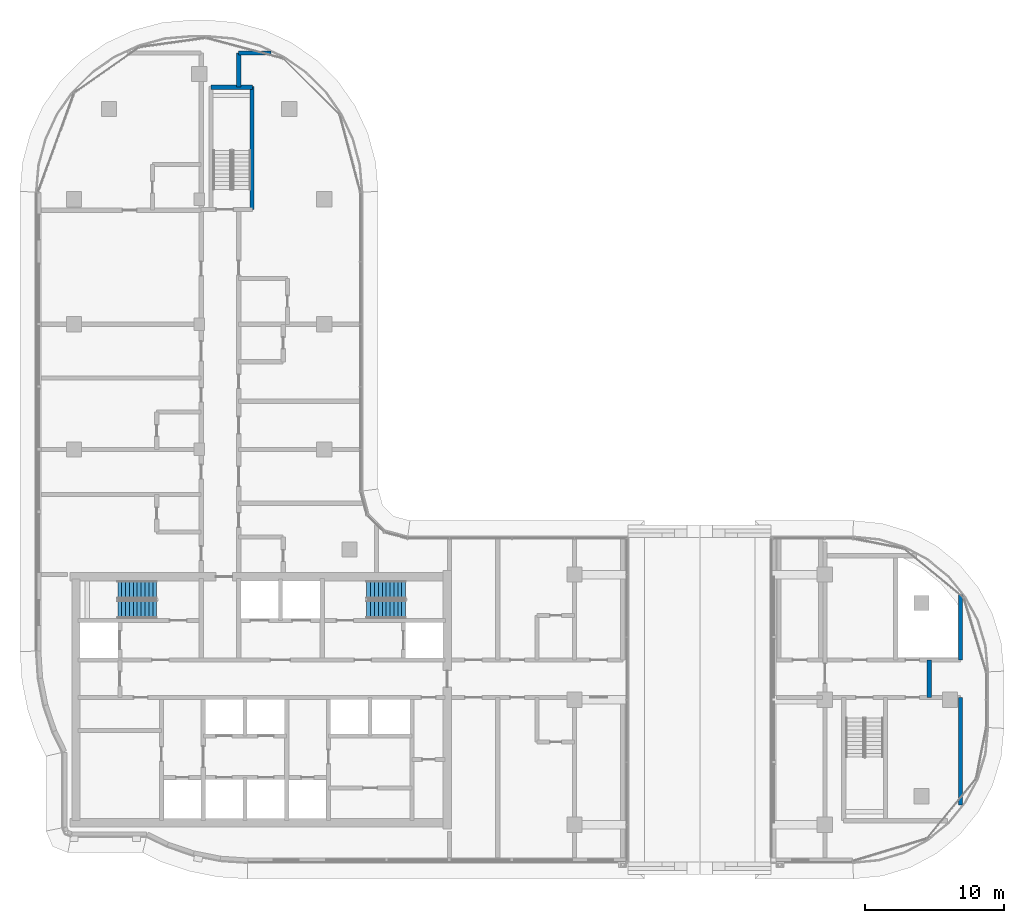
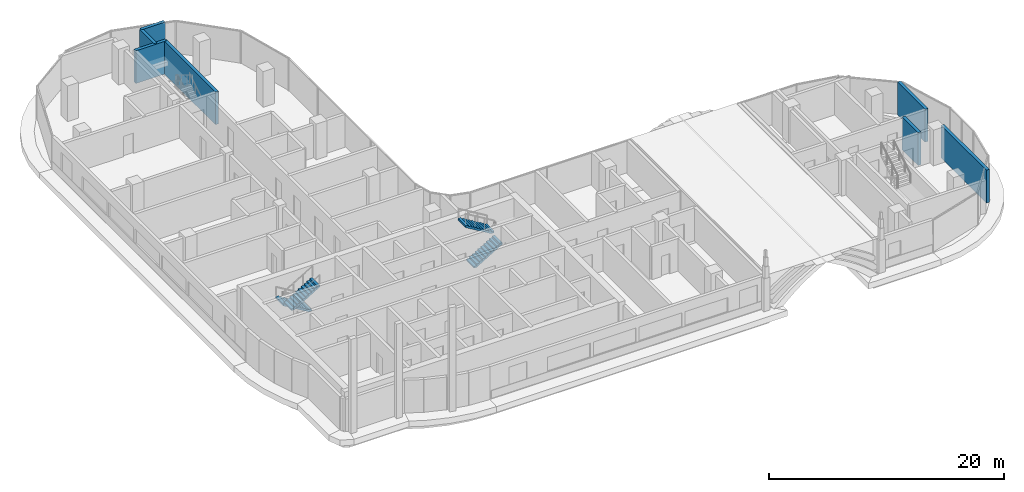
# One storey, part 14 of 23: 7 walls, 4 stair flights, 2 elements without a shape of their own.
"""IFC4 building model written with IfcOpenShell, lengths in metres."""

from ifc_helpers import new_model, si_unit, direction, frame, frame_2d, origin, place, context, subcontext, project, spatial, rectangle, extrude, triangles, source, transform, mapped, material, layer, layer_set, type_object, element, aggregate, save


model = new_model("IFC4")

# Units and contexts
model_context = context("Model", 3, precision=1e-05, world=origin(), true_north=direction((0.0, 1.0)))
body_context = subcontext(model_context, "Body", "Model", "MODEL_VIEW")
ifc_project = project(units=[si_unit("LENGTHUNIT", "METRE"), si_unit("AREAUNIT", "SQUARE_METRE"), si_unit("VOLUMEUNIT", "CUBIC_METRE"), si_unit("PLANEANGLEUNIT", "RADIAN"), si_unit("MASSUNIT", "GRAM", prefix="KILO")], contexts=[model_context])

# Site, building, storey
site_placement = place(None, origin())
site = spatial("IfcSite", under=ifc_project, at=site_placement, CompositionType="ELEMENT")
building_placement = place(site_placement, origin())
building = spatial("IfcBuilding", under=site, at=building_placement, Name="Ogive Portal Towers", CompositionType="ELEMENT")
storey_placement = place(building_placement, frame((0.0, 0.0, 179.199951171875)))
storey = spatial("IfcBuildingStorey", under=building, at=storey_placement, Name="L44", CompositionType="ELEMENT", Elevation=179.199951171875)

# Walls
ifc_material_1 = material(Name="Concrete C50/60", Category="concrete")
ifc_layer_1 = layer(ifc_material_1, 0.300048828125)
ifc_layer_set_1 = layer_set([ifc_layer_1], Name="STAIR WALL 300 C50")
wall_type_1 = type_object("IfcWallType", Name="STAIR WALL 300 C50", PredefinedType="SHEAR", material=ifc_layer_set_1)
wall_1_placement = place(storey_placement, frame((41.35009765625, 74.550048828125, 0.0), z_axis=(0.0, 0.0, 1.0), x_axis=(1.0, 0.0, 0.0)))
element("IfcWall", 1, at=wall_1_placement, inside=storey, type_object=wall_type_1, Name="Stair wall ST-A3 L44", PredefinedType="SHEAR", context=body_context, shape_type="SweptSolid", body=[
    extrude(rectangle(XDim=3.0, YDim=0.300048828125, at=frame_2d((1.5, 0.0))), origin(), (0.0, 0.0, 1.0), 3.400146484375),
])
wall_2_placement = place(storey_placement, frame((44.300048828125, 65.75, 0.0), z_axis=(0.0, 0.0, 1.0), x_axis=(0.0, 1.0, 0.0)))
element("IfcWall", 2, at=wall_2_placement, inside=storey, type_object=wall_type_1, Name="Stair wall ST-A3 L44", PredefinedType="SHEAR", context=body_context, shape_type="SweptSolid", body=[
    extrude(rectangle(XDim=8.85009765625, YDim=0.300048828125, at=frame_2d((4.425048828125, 0.0))), origin(), (0.0, 0.0, 1.0), 3.400146484375),
])
ifc_material_2 = material(Name="Gypsum board partition on steel studs", Category="steel")
ifc_layer_2 = layer(ifc_material_2, 0.300048828125)
ifc_layer_set_2 = layer_set([ifc_layer_2], Name="WT-PART-300-EI 120")
wall_type_2 = type_object("IfcWallType", Name="WT-PART-300-EI 120", PredefinedType="PARTITIONING", material=ifc_layer_set_2)
wall_3_placement = place(storey_placement, frame((93.0, 30.64990234375, 0.0), z_axis=(0.0, 0.0, 1.0), x_axis=(0.0, 1.0, 0.0)))
element("IfcWall", 3, at=wall_3_placement, inside=storey, type_object=wall_type_2, Name="Wall L44:w058", PredefinedType="PARTITIONING", context=body_context, shape_type="SweptSolid", body=[
    extrude(rectangle(XDim=2.7001953125, YDim=0.300048828125, at=frame_2d((1.35009765625, 0.0))), origin(), (0.0, 0.0, 1.0), 3.400146484375),
])
ifc_layer_3 = layer(ifc_material_2, 0.300048828125)
ifc_layer_set_3 = layer_set([ifc_layer_3], Name="WT-PART-300-EI 60")
wall_type_3 = type_object("IfcWallType", Name="WT-PART-300-EI 60", PredefinedType="PARTITIONING", material=ifc_layer_set_3)
wall_4_placement = place(storey_placement, frame((43.35009765625, 77.0, 0.0), z_axis=(0.0, 0.0, 1.0), x_axis=(1.0, 0.0, 0.0)))
element("IfcWall", 4, at=wall_4_placement, inside=storey, type_object=wall_type_3, Name="Wall L44:w030", PredefinedType="PARTITIONING", context=body_context, shape_type="SweptSolid", body=[
    extrude(rectangle(XDim=2.31201171875, YDim=0.300048828125, at=frame_2d((1.156005859375, 0.0))), origin(), (0.0, 0.0, 1.0), 3.400146484375),
])
wall_5_placement = place(storey_placement, frame((95.25, 22.926025390625, 0.0), z_axis=(0.0, 0.0, 1.0), x_axis=(0.0, 1.0, 0.0)))
element("IfcWall", 5, at=wall_5_placement, inside=storey, type_object=wall_type_3, Name="Wall L44:w059", PredefinedType="PARTITIONING", context=body_context, shape_type="SweptSolid", body=[
    extrude(rectangle(XDim=7.723876953125, YDim=0.300048828125, at=frame_2d((3.86181640625, 0.0))), origin(), (0.0, 0.0, 1.0), 3.400146484375),
])
wall_6_placement = place(storey_placement, frame((95.25, 33.35009765625, 0.0), z_axis=(0.0, 0.0, 1.0), x_axis=(0.0, 1.0, 0.0)))
element("IfcWall", 6, at=wall_6_placement, inside=storey, type_object=wall_type_3, Name="Wall L44:w060", PredefinedType="PARTITIONING", context=body_context, shape_type="SweptSolid", body=[
    extrude(rectangle(XDim=4.723876953125, YDim=0.300048828125, at=frame_2d((2.36181640625, 0.0))), origin(), (0.0, 0.0, 1.0), 3.400146484375),
])
ifc_material_3 = material(Name="Concrete C40/50", Category="concrete")
ifc_layer_4 = layer(ifc_material_3, 0.300048828125)
ifc_layer_set_4 = layer_set([ifc_layer_4], Name="WT-SHAFT-300")
wall_type_4 = type_object("IfcWallType", Name="WT-SHAFT-300", PredefinedType="SOLIDWALL", material=ifc_layer_set_4)
wall_7_placement = place(storey_placement, frame((43.35009765625, 74.550048828125, 0.0), z_axis=(0.0, 0.0, 1.0), x_axis=(0.0, 1.0, 0.0)))
element("IfcWall", 7, at=wall_7_placement, inside=storey, type_object=wall_type_4, Name="Wall L44:w037", PredefinedType="SOLIDWALL", context=body_context, shape_type="SweptSolid", body=[
    extrude(rectangle(XDim=2.449951171875, YDim=0.300048828125, at=frame_2d((1.22509765625, 0.0))), origin(), (0.0, 0.0, 1.0), 3.400146484375),
])

# Stair, stair flights
stair_type = type_object("IfcStairType", Name="INT-STAIR", PredefinedType="HALF_TURN_STAIR", material=ifc_material_3)
stair_1_placement = place(storey_placement, origin())
stair_1 = element("IfcStair", 8, at=stair_1_placement, inside=storey, type_object=stair_type, Name="L44 Exit Stair ST-A1", PredefinedType="HALF_TURN_STAIR")
stair_flight_type = type_object("IfcStairFlightType", Name="INT-FLIGHT", PredefinedType="STRAIGHT", material=ifc_material_3)
shared_shape = source(origin(), body_context, "Body", "Tessellation", [
    triangles([(0.0, -0.650146484375, 0.0), (0.0, -0.376220703125, 0.0), (0.0, -0.192626953125, 0.0), (0.0, -0.081298828125, 0.0), (0.0, -0.024169921875, 0.0), (0.0, -0.003173828125, 0.0), (0.0, 0.0, 0.0), (0.0, 0.0029296875, 0.0), (0.0, 0.02392578125, 0.0), (0.0, 0.0810546875, 0.0), (0.0, 0.1923828125, 0.0), (0.0, 0.3759765625, 0.0), (0.0, 0.64990234375, 0.0), (0.0, -0.650146484375, 0.168212890625), (0.0, -0.376220703125, 0.168212890625), (0.0, -0.192626953125, 0.168212890625), (0.0, -0.081298828125, 0.168212890625), (0.0, -0.024169921875, 0.168212890625), (0.0, -0.003173828125, 0.168212890625), (0.0, 0.0, 0.168212890625), (0.0, 0.0029296875, 0.168212890625), (0.0, 0.02392578125, 0.168212890625), (0.0, 0.0810546875, 0.168212890625), (0.0, 0.1923828125, 0.168212890625), (0.0, 0.3759765625, 0.168212890625), (0.0, 0.64990234375, 0.168212890625), (0.280029296875, -0.650146484375, 0.168212890625), (0.280029296875, -0.376220703125, 0.168212890625), (0.280029296875, -0.192626953125, 0.168212890625), (0.280029296875, -0.081298828125, 0.168212890625), (0.280029296875, -0.024169921875, 0.168212890625), (0.280029296875, -0.003173828125, 0.168212890625), (0.280029296875, 0.0, 0.168212890625), (0.280029296875, 0.0029296875, 0.168212890625), (0.280029296875, 0.02392578125, 0.168212890625), (0.280029296875, 0.0810546875, 0.168212890625), (0.280029296875, 0.1923828125, 0.168212890625), (0.280029296875, 0.3759765625, 0.168212890625), (0.280029296875, 0.64990234375, 0.168212890625), (0.280029296875, -0.650146484375, 0.33642578125), (0.280029296875, -0.376220703125, 0.33642578125), (0.280029296875, -0.192626953125, 0.33642578125), (0.280029296875, -0.081298828125, 0.33642578125), (0.280029296875, -0.024169921875, 0.33642578125), (0.280029296875, -0.003173828125, 0.33642578125), (0.280029296875, 0.0, 0.33642578125), (0.280029296875, 0.0029296875, 0.33642578125), (0.280029296875, 0.02392578125, 0.33642578125), (0.280029296875, 0.0810546875, 0.33642578125), (0.280029296875, 0.1923828125, 0.33642578125), (0.280029296875, 0.3759765625, 0.33642578125), (0.280029296875, 0.64990234375, 0.33642578125), (0.56005859375, -0.650146484375, 0.33642578125), (0.56005859375, -0.376220703125, 0.33642578125), (0.56005859375, -0.192626953125, 0.33642578125), (0.56005859375, -0.081298828125, 0.33642578125), (0.56005859375, -0.024169921875, 0.33642578125), (0.56005859375, -0.003173828125, 0.33642578125), (0.56005859375, 0.0, 0.33642578125), (0.56005859375, 0.0029296875, 0.33642578125), (0.56005859375, 0.02392578125, 0.33642578125), (0.56005859375, 0.0810546875, 0.33642578125), (0.56005859375, 0.1923828125, 0.33642578125), (0.56005859375, 0.3759765625, 0.33642578125), (0.56005859375, 0.64990234375, 0.33642578125), (0.56005859375, -0.650146484375, 0.504638671875), (0.56005859375, -0.376220703125, 0.504638671875), (0.56005859375, -0.192626953125, 0.504638671875), (0.56005859375, -0.081298828125, 0.504638671875), (0.56005859375, -0.024169921875, 0.504638671875), (0.56005859375, -0.003173828125, 0.504638671875), (0.56005859375, 0.0, 0.504638671875), (0.56005859375, 0.0029296875, 0.504638671875), (0.56005859375, 0.02392578125, 0.504638671875), (0.56005859375, 0.0810546875, 0.504638671875), (0.56005859375, 0.1923828125, 0.504638671875), (0.56005859375, 0.3759765625, 0.504638671875), (0.56005859375, 0.64990234375, 0.504638671875), (0.840087890625, -0.650146484375, 0.504638671875), (0.840087890625, -0.376220703125, 0.504638671875), (0.840087890625, -0.192626953125, 0.504638671875), (0.840087890625, -0.081298828125, 0.504638671875), (0.840087890625, -0.024169921875, 0.504638671875), (0.840087890625, -0.003173828125, 0.504638671875), (0.840087890625, 0.0, 0.504638671875), (0.840087890625, 0.0029296875, 0.504638671875), (0.840087890625, 0.02392578125, 0.504638671875), (0.840087890625, 0.0810546875, 0.504638671875), (0.840087890625, 0.1923828125, 0.504638671875), (0.840087890625, 0.3759765625, 0.504638671875), (0.840087890625, 0.64990234375, 0.504638671875), (0.840087890625, -0.650146484375, 0.672607421875), (0.840087890625, -0.376220703125, 0.672607421875), (0.840087890625, -0.192626953125, 0.672607421875), (0.840087890625, -0.081298828125, 0.672607421875), (0.840087890625, -0.024169921875, 0.672607421875), (0.840087890625, -0.003173828125, 0.672607421875), (0.840087890625, 0.0, 0.672607421875), (0.840087890625, 0.0029296875, 0.672607421875), (0.840087890625, 0.02392578125, 0.672607421875), (0.840087890625, 0.0810546875, 0.672607421875), (0.840087890625, 0.1923828125, 0.672607421875), (0.840087890625, 0.3759765625, 0.672607421875), (0.840087890625, 0.64990234375, 0.672607421875), (1.1201171875, -0.650146484375, 0.672607421875), (1.1201171875, -0.376220703125, 0.672607421875), (1.1201171875, -0.192626953125, 0.672607421875), (1.1201171875, -0.081298828125, 0.672607421875), (1.1201171875, -0.024169921875, 0.672607421875), (1.1201171875, -0.003173828125, 0.672607421875), (1.1201171875, 0.0, 0.672607421875), (1.1201171875, 0.0029296875, 0.672607421875), (1.1201171875, 0.02392578125, 0.672607421875), (1.1201171875, 0.0810546875, 0.672607421875), (1.1201171875, 0.1923828125, 0.672607421875), (1.1201171875, 0.3759765625, 0.672607421875), (1.1201171875, 0.64990234375, 0.672607421875), (1.1201171875, -0.650146484375, 0.8408203125), (1.1201171875, -0.376220703125, 0.8408203125), (1.1201171875, -0.192626953125, 0.8408203125), (1.1201171875, -0.081298828125, 0.8408203125), (1.1201171875, -0.024169921875, 0.8408203125), (1.1201171875, -0.003173828125, 0.8408203125), (1.1201171875, 0.0, 0.8408203125), (1.1201171875, 0.0029296875, 0.8408203125), (1.1201171875, 0.02392578125, 0.8408203125), (1.1201171875, 0.0810546875, 0.8408203125), (1.1201171875, 0.1923828125, 0.8408203125), (1.1201171875, 0.3759765625, 0.8408203125), (1.1201171875, 0.64990234375, 0.8408203125), (1.39990234375, -0.650146484375, 0.8408203125), (1.39990234375, -0.376220703125, 0.8408203125), (1.39990234375, -0.192626953125, 0.8408203125), (1.39990234375, -0.081298828125, 0.8408203125), (1.39990234375, -0.024169921875, 0.8408203125), (1.39990234375, -0.003173828125, 0.8408203125), (1.39990234375, 0.0, 0.8408203125), (1.39990234375, 0.0029296875, 0.8408203125), (1.39990234375, 0.02392578125, 0.8408203125), (1.39990234375, 0.0810546875, 0.8408203125), (1.39990234375, 0.1923828125, 0.8408203125), (1.39990234375, 0.3759765625, 0.8408203125), (1.39990234375, 0.64990234375, 0.8408203125), (1.39990234375, -0.650146484375, 1.009033203125), (1.39990234375, -0.376220703125, 1.009033203125), (1.39990234375, -0.192626953125, 1.009033203125), (1.39990234375, -0.081298828125, 1.009033203125), (1.39990234375, -0.024169921875, 1.009033203125), (1.39990234375, -0.003173828125, 1.009033203125), (1.39990234375, 0.0, 1.009033203125), (1.39990234375, 0.0029296875, 1.009033203125), (1.39990234375, 0.02392578125, 1.009033203125), (1.39990234375, 0.0810546875, 1.009033203125), (1.39990234375, 0.1923828125, 1.009033203125), (1.39990234375, 0.3759765625, 1.009033203125), (1.39990234375, 0.64990234375, 1.009033203125), (1.679931640625, -0.650146484375, 1.009033203125), (1.679931640625, -0.376220703125, 1.009033203125), (1.679931640625, -0.192626953125, 1.009033203125), (1.679931640625, -0.081298828125, 1.009033203125), (1.679931640625, -0.024169921875, 1.009033203125), (1.679931640625, -0.003173828125, 1.009033203125), (1.679931640625, 0.0, 1.009033203125), (1.679931640625, 0.0029296875, 1.009033203125), (1.679931640625, 0.02392578125, 1.009033203125), (1.679931640625, 0.0810546875, 1.009033203125), (1.679931640625, 0.1923828125, 1.009033203125), (1.679931640625, 0.3759765625, 1.009033203125), (1.679931640625, 0.64990234375, 1.009033203125), (1.679931640625, -0.650146484375, 1.17724609375), (1.679931640625, -0.376220703125, 1.17724609375), (1.679931640625, -0.192626953125, 1.17724609375), (1.679931640625, -0.081298828125, 1.17724609375), (1.679931640625, -0.024169921875, 1.17724609375), (1.679931640625, -0.003173828125, 1.17724609375), (1.679931640625, 0.0, 1.17724609375), (1.679931640625, 0.0029296875, 1.17724609375), (1.679931640625, 0.02392578125, 1.17724609375), (1.679931640625, 0.0810546875, 1.17724609375), (1.679931640625, 0.1923828125, 1.17724609375), (1.679931640625, 0.3759765625, 1.17724609375), (1.679931640625, 0.64990234375, 1.17724609375), (1.9599609375, -0.650146484375, 1.17724609375), (1.9599609375, -0.376220703125, 1.17724609375), (1.9599609375, -0.192626953125, 1.17724609375), (1.9599609375, -0.081298828125, 1.17724609375), (1.9599609375, -0.024169921875, 1.17724609375), (1.9599609375, -0.003173828125, 1.17724609375), (1.9599609375, 0.0, 1.17724609375), (1.9599609375, 0.0029296875, 1.17724609375), (1.9599609375, 0.02392578125, 1.17724609375), (1.9599609375, 0.0810546875, 1.17724609375), (1.9599609375, 0.1923828125, 1.17724609375), (1.9599609375, 0.3759765625, 1.17724609375), (1.9599609375, 0.64990234375, 1.17724609375), (1.9599609375, -0.650146484375, 1.345458984375), (1.9599609375, -0.376220703125, 1.345458984375), (1.9599609375, -0.192626953125, 1.345458984375), (1.9599609375, -0.081298828125, 1.345458984375), (1.9599609375, -0.024169921875, 1.345458984375), (1.9599609375, -0.003173828125, 1.345458984375), (1.9599609375, 0.0, 1.345458984375), (1.9599609375, 0.0029296875, 1.345458984375), (1.9599609375, 0.02392578125, 1.345458984375), (1.9599609375, 0.0810546875, 1.345458984375), (1.9599609375, 0.1923828125, 1.345458984375), (1.9599609375, 0.3759765625, 1.345458984375), (1.9599609375, 0.64990234375, 1.345458984375), (2.239990234375, -0.650146484375, 1.345458984375), (2.239990234375, -0.376220703125, 1.345458984375), (2.239990234375, -0.192626953125, 1.345458984375), (2.239990234375, -0.081298828125, 1.345458984375), (2.239990234375, -0.024169921875, 1.345458984375), (2.239990234375, -0.003173828125, 1.345458984375), (2.239990234375, 0.0, 1.345458984375), (2.239990234375, 0.0029296875, 1.345458984375), (2.239990234375, 0.02392578125, 1.345458984375), (2.239990234375, 0.0810546875, 1.345458984375), (2.239990234375, 0.1923828125, 1.345458984375), (2.239990234375, 0.3759765625, 1.345458984375), (2.239990234375, 0.64990234375, 1.345458984375), (2.239990234375, -0.650146484375, 1.513671875), (2.239990234375, -0.376220703125, 1.513671875), (2.239990234375, -0.192626953125, 1.513671875), (2.239990234375, -0.081298828125, 1.513671875), (2.239990234375, -0.024169921875, 1.513671875), (2.239990234375, -0.003173828125, 1.513671875), (2.239990234375, 0.0, 1.513671875), (2.239990234375, 0.0029296875, 1.513671875), (2.239990234375, 0.02392578125, 1.513671875), (2.239990234375, 0.0810546875, 1.513671875), (2.239990234375, 0.1923828125, 1.513671875), (2.239990234375, 0.3759765625, 1.513671875), (2.239990234375, 0.64990234375, 1.513671875), (2.52001953125, -0.650146484375, 1.513671875), (2.52001953125, -0.376220703125, 1.513671875), (2.52001953125, -0.192626953125, 1.513671875), (2.52001953125, -0.081298828125, 1.513671875), (2.52001953125, -0.024169921875, 1.513671875), (2.52001953125, -0.003173828125, 1.513671875), (2.52001953125, 0.0, 1.513671875), (2.52001953125, 0.0029296875, 1.513671875), (2.52001953125, 0.02392578125, 1.513671875), (2.52001953125, 0.0810546875, 1.513671875), (2.52001953125, 0.1923828125, 1.513671875), (2.52001953125, 0.3759765625, 1.513671875), (2.52001953125, 0.64990234375, 1.513671875), (2.52001953125, -0.650146484375, 1.681884765625), (2.52001953125, -0.376220703125, 1.681884765625), (2.52001953125, -0.192626953125, 1.681884765625), (2.52001953125, -0.081298828125, 1.681884765625), (2.52001953125, -0.024169921875, 1.681884765625), (2.52001953125, -0.003173828125, 1.681884765625), (2.52001953125, 0.0, 1.681884765625), (2.52001953125, 0.0029296875, 1.681884765625), (2.52001953125, 0.02392578125, 1.681884765625), (2.52001953125, 0.0810546875, 1.681884765625), (2.52001953125, 0.1923828125, 1.681884765625), (2.52001953125, 0.3759765625, 1.681884765625), (2.52001953125, 0.64990234375, 1.681884765625), (2.800048828125, -0.650146484375, 1.681884765625), (2.800048828125, -0.376220703125, 1.681884765625), (2.800048828125, -0.192626953125, 1.681884765625), (2.800048828125, -0.081298828125, 1.681884765625), (2.800048828125, -0.024169921875, 1.681884765625), (2.800048828125, -0.003173828125, 1.681884765625), (2.800048828125, 0.0, 1.681884765625), (2.800048828125, 0.0029296875, 1.681884765625), (2.800048828125, 0.02392578125, 1.681884765625), (2.800048828125, 0.0810546875, 1.681884765625), (2.800048828125, 0.1923828125, 1.681884765625), (2.800048828125, 0.3759765625, 1.681884765625), (2.800048828125, 0.64990234375, 1.681884765625), (2.800048828125, -0.650146484375, 1.5068359375), (2.800048828125, -0.376220703125, 1.5068359375), (2.800048828125, -0.192626953125, 1.5068359375), (2.800048828125, -0.081298828125, 1.5068359375), (2.800048828125, -0.024169921875, 1.5068359375), (2.800048828125, -0.003173828125, 1.5068359375), (2.800048828125, 0.0, 1.5068359375), (2.800048828125, 0.0029296875, 1.5068359375), (2.800048828125, 0.02392578125, 1.5068359375), (2.800048828125, 0.0810546875, 1.5068359375), (2.800048828125, 0.1923828125, 1.5068359375), (2.800048828125, 0.3759765625, 1.5068359375), (2.800048828125, 0.64990234375, 1.5068359375), (0.291015625, -0.650146484375, 0.0), (0.291015625, -0.376220703125, 0.0), (0.291015625, -0.192626953125, 0.0), (0.291015625, -0.081298828125, 0.0), (0.291015625, -0.024169921875, 0.0), (0.291015625, -0.003173828125, 0.0), (0.291015625, 0.0, 0.0), (0.291015625, 0.0029296875, 0.0), (0.291015625, 0.02392578125, 0.0), (0.291015625, 0.0810546875, 0.0), (0.291015625, 0.1923828125, 0.0), (0.291015625, 0.3759765625, 0.0), (0.291015625, 0.64990234375, 0.0)], [[1, 14, 15], [1, 15, 2], [2, 15, 16], [2, 16, 3], [3, 16, 17], [3, 17, 4], [4, 17, 18], [4, 18, 5], [5, 18, 19], [5, 19, 6], [6, 19, 20], [6, 20, 7], [7, 20, 21], [7, 21, 8], [8, 21, 22], [8, 22, 9], [9, 22, 23], [9, 23, 10], [10, 23, 24], [10, 24, 11], [11, 24, 25], [11, 25, 12], [12, 25, 26], [12, 26, 13], [14, 27, 28], [14, 28, 15], [15, 28, 29], [15, 29, 16], [16, 29, 30], [16, 30, 17], [17, 30, 31], [17, 31, 18], [18, 31, 32], [18, 32, 19], [19, 32, 33], [19, 33, 20], [20, 33, 34], [20, 34, 21], [21, 34, 35], [21, 35, 22], [22, 35, 36], [22, 36, 23], [23, 36, 37], [23, 37, 24], [24, 37, 38], [24, 38, 25], [25, 38, 39], [25, 39, 26], [27, 40, 41], [27, 41, 28], [28, 41, 42], [28, 42, 29], [29, 42, 43], [29, 43, 30], [30, 43, 44], [30, 44, 31], [31, 44, 45], [31, 45, 32], [32, 45, 46], [32, 46, 33], [33, 46, 47], [33, 47, 34], [34, 47, 48], [34, 48, 35], [35, 48, 49], [35, 49, 36], [36, 49, 50], [36, 50, 37], [37, 50, 51], [37, 51, 38], [38, 51, 52], [38, 52, 39], [40, 53, 54], [40, 54, 41], [41, 54, 55], [41, 55, 42], [42, 55, 56], [42, 56, 43], [43, 56, 57], [43, 57, 44], [44, 57, 58], [44, 58, 45], [45, 58, 59], [45, 59, 46], [46, 59, 60], [46, 60, 47], [47, 60, 61], [47, 61, 48], [48, 61, 62], [48, 62, 49], [49, 62, 63], [49, 63, 50], [50, 63, 64], [50, 64, 51], [51, 64, 65], [51, 65, 52], [53, 66, 67], [53, 67, 54], [54, 67, 68], [54, 68, 55], [55, 68, 69], [55, 69, 56], [56, 69, 70], [56, 70, 57], [57, 70, 71], [57, 71, 58], [58, 71, 72], [58, 72, 59], [59, 72, 73], [59, 73, 60], [60, 73, 74], [60, 74, 61], [61, 74, 75], [61, 75, 62], [62, 75, 76], [62, 76, 63], [63, 76, 77], [63, 77, 64], [64, 77, 78], [64, 78, 65], [66, 79, 80], [66, 80, 67], [67, 80, 81], [67, 81, 68], [68, 81, 82], [68, 82, 69], [69, 82, 83], [69, 83, 70], [70, 83, 84], [70, 84, 71], [71, 84, 85], [71, 85, 72], [72, 85, 86], [72, 86, 73], [73, 86, 87], [73, 87, 74], [74, 87, 88], [74, 88, 75], [75, 88, 89], [75, 89, 76], [76, 89, 90], [76, 90, 77], [77, 90, 91], [77, 91, 78], [79, 92, 93], [79, 93, 80], [80, 93, 94], [80, 94, 81], [81, 94, 95], [81, 95, 82], [82, 95, 96], [82, 96, 83], [83, 96, 97], [83, 97, 84], [84, 97, 98], [84, 98, 85], [85, 98, 99], [85, 99, 86], [86, 99, 100], [86, 100, 87], [87, 100, 101], [87, 101, 88], [88, 101, 102], [88, 102, 89], [89, 102, 103], [89, 103, 90], [90, 103, 104], [90, 104, 91], [92, 105, 106], [92, 106, 93], [93, 106, 107], [93, 107, 94], [94, 107, 108], [94, 108, 95], [95, 108, 109], [95, 109, 96], [96, 109, 110], [96, 110, 97], [97, 110, 111], [97, 111, 98], [98, 111, 112], [98, 112, 99], [99, 112, 113], [99, 113, 100], [100, 113, 114], [100, 114, 101], [101, 114, 115], [101, 115, 102], [102, 115, 116], [102, 116, 103], [103, 116, 117], [103, 117, 104], [105, 118, 119], [105, 119, 106], [106, 119, 120], [106, 120, 107], [107, 120, 121], [107, 121, 108], [108, 121, 122], [108, 122, 109], [109, 122, 123], [109, 123, 110], [110, 123, 124], [110, 124, 111], [111, 124, 125], [111, 125, 112], [112, 125, 126], [112, 126, 113], [113, 126, 127], [113, 127, 114], [114, 127, 128], [114, 128, 115], [115, 128, 129], [115, 129, 116], [116, 129, 130], [116, 130, 117], [118, 131, 132], [118, 132, 119], [119, 132, 133], [119, 133, 120], [120, 133, 134], [120, 134, 121], [121, 134, 135], [121, 135, 122], [122, 135, 136], [122, 136, 123], [123, 136, 137], [123, 137, 124], [124, 137, 138], [124, 138, 125], [125, 138, 139], [125, 139, 126], [126, 139, 140], [126, 140, 127], [127, 140, 141], [127, 141, 128], [128, 141, 142], [128, 142, 129], [129, 142, 143], [129, 143, 130], [131, 144, 145], [131, 145, 132], [132, 145, 146], [132, 146, 133], [133, 146, 147], [133, 147, 134], [134, 147, 148], [134, 148, 135], [135, 148, 149], [135, 149, 136], [136, 149, 150], [136, 150, 137], [137, 150, 151], [137, 151, 138], [138, 151, 152], [138, 152, 139], [139, 152, 153], [139, 153, 140], [140, 153, 154], [140, 154, 141], [141, 154, 155], [141, 155, 142], [142, 155, 156], [142, 156, 143], [144, 157, 158], [144, 158, 145], [145, 158, 159], [145, 159, 146], [146, 159, 160], [146, 160, 147], [147, 160, 161], [147, 161, 148], [148, 161, 162], [148, 162, 149], [149, 162, 163], [149, 163, 150], [150, 163, 164], [150, 164, 151], [151, 164, 165], [151, 165, 152], [152, 165, 166], [152, 166, 153], [153, 166, 167], [153, 167, 154], [154, 167, 168], [154, 168, 155], [155, 168, 169], [155, 169, 156], [157, 170, 171], [157, 171, 158], [158, 171, 172], [158, 172, 159], [159, 172, 173], [159, 173, 160], [160, 173, 174], [160, 174, 161], [161, 174, 175], [161, 175, 162], [162, 175, 176], [162, 176, 163], [163, 176, 177], [163, 177, 164], [164, 177, 178], [164, 178, 165], [165, 178, 179], [165, 179, 166], [166, 179, 180], [166, 180, 167], [167, 180, 181], [167, 181, 168], [168, 181, 182], [168, 182, 169], [170, 183, 184], [170, 184, 171], [171, 184, 185], [171, 185, 172], [172, 185, 186], [172, 186, 173], [173, 186, 187], [173, 187, 174], [174, 187, 188], [174, 188, 175], [175, 188, 189], [175, 189, 176], [176, 189, 190], [176, 190, 177], [177, 190, 191], [177, 191, 178], [178, 191, 192], [178, 192, 179], [179, 192, 193], [179, 193, 180], [180, 193, 194], [180, 194, 181], [181, 194, 195], [181, 195, 182], [183, 196, 197], [183, 197, 184], [184, 197, 198], [184, 198, 185], [185, 198, 199], [185, 199, 186], [186, 199, 200], [186, 200, 187], [187, 200, 201], [187, 201, 188], [188, 201, 202], [188, 202, 189], [189, 202, 203], [189, 203, 190], [190, 203, 204], [190, 204, 191], [191, 204, 205], [191, 205, 192], [192, 205, 206], [192, 206, 193], [193, 206, 207], [193, 207, 194], [194, 207, 208], [194, 208, 195], [196, 209, 210], [196, 210, 197], [197, 210, 211], [197, 211, 198], [198, 211, 212], [198, 212, 199], [199, 212, 213], [199, 213, 200], [200, 213, 214], [200, 214, 201], [201, 214, 215], [201, 215, 202], [202, 215, 216], [202, 216, 203], [203, 216, 217], [203, 217, 204], [204, 217, 218], [204, 218, 205], [205, 218, 219], [205, 219, 206], [206, 219, 220], [206, 220, 207], [207, 220, 221], [207, 221, 208], [209, 222, 223], [209, 223, 210], [210, 223, 224], [210, 224, 211], [211, 224, 225], [211, 225, 212], [212, 225, 226], [212, 226, 213], [213, 226, 227], [213, 227, 214], [214, 227, 228], [214, 228, 215], [215, 228, 229], [215, 229, 216], [216, 229, 230], [216, 230, 217], [217, 230, 231], [217, 231, 218], [218, 231, 232], [218, 232, 219], [219, 232, 233], [219, 233, 220], [220, 233, 234], [220, 234, 221], [222, 235, 236], [222, 236, 223], [223, 236, 237], [223, 237, 224], [224, 237, 238], [224, 238, 225], [225, 238, 239], [225, 239, 226], [226, 239, 240], [226, 240, 227], [227, 240, 241], [227, 241, 228], [228, 241, 242], [228, 242, 229], [229, 242, 243], [229, 243, 230], [230, 243, 244], [230, 244, 231], [231, 244, 245], [231, 245, 232], [232, 245, 246], [232, 246, 233], [233, 246, 247], [233, 247, 234], [235, 248, 249], [235, 249, 236], [236, 249, 250], [236, 250, 237], [237, 250, 251], [237, 251, 238], [238, 251, 252], [238, 252, 239], [239, 252, 253], [239, 253, 240], [240, 253, 254], [240, 254, 241], [241, 254, 255], [241, 255, 242], [242, 255, 256], [242, 256, 243], [243, 256, 257], [243, 257, 244], [244, 257, 258], [244, 258, 245], [245, 258, 259], [245, 259, 246], [246, 259, 260], [246, 260, 247], [248, 261, 262], [248, 262, 249], [249, 262, 263], [249, 263, 250], [250, 263, 264], [250, 264, 251], [251, 264, 265], [251, 265, 252], [252, 265, 266], [252, 266, 253], [253, 266, 267], [253, 267, 254], [254, 267, 268], [254, 268, 255], [255, 268, 269], [255, 269, 256], [256, 269, 270], [256, 270, 257], [257, 270, 271], [257, 271, 258], [258, 271, 272], [258, 272, 259], [259, 272, 273], [259, 273, 260], [261, 274, 275], [261, 275, 262], [262, 275, 276], [262, 276, 263], [263, 276, 277], [263, 277, 264], [264, 277, 278], [264, 278, 265], [265, 278, 279], [265, 279, 266], [266, 279, 280], [266, 280, 267], [267, 280, 281], [267, 281, 268], [268, 281, 282], [268, 282, 269], [269, 282, 283], [269, 283, 270], [270, 283, 284], [270, 284, 271], [271, 284, 285], [271, 285, 272], [272, 285, 286], [272, 286, 273], [274, 287, 288], [274, 288, 275], [275, 288, 289], [275, 289, 276], [276, 289, 290], [276, 290, 277], [277, 290, 291], [277, 291, 278], [278, 291, 292], [278, 292, 279], [279, 292, 293], [279, 293, 280], [280, 293, 294], [280, 294, 281], [281, 294, 295], [281, 295, 282], [282, 295, 296], [282, 296, 283], [283, 296, 297], [283, 297, 284], [284, 297, 298], [284, 298, 285], [285, 298, 299], [285, 299, 286], [287, 1, 2], [287, 2, 288], [288, 2, 3], [288, 3, 289], [289, 3, 4], [289, 4, 290], [290, 4, 5], [290, 5, 291], [291, 5, 6], [291, 6, 292], [292, 6, 7], [292, 7, 293], [293, 7, 8], [293, 8, 294], [294, 8, 9], [294, 9, 295], [295, 9, 10], [295, 10, 296], [296, 10, 11], [296, 11, 297], [297, 11, 12], [297, 12, 298], [298, 12, 13], [298, 13, 299], [1, 287, 274], [13, 286, 299], [274, 261, 248], [286, 260, 273], [274, 248, 235], [286, 247, 260], [274, 235, 222], [286, 234, 247], [274, 222, 209], [286, 221, 234], [209, 196, 183], [221, 195, 208], [274, 209, 183], [286, 195, 221], [183, 170, 157], [195, 169, 182], [274, 183, 157], [286, 169, 195], [157, 144, 131], [169, 143, 156], [274, 157, 131], [286, 143, 169], [131, 118, 105], [143, 117, 130], [274, 131, 105], [286, 117, 143], [1, 274, 105], [13, 117, 286], [105, 92, 79], [117, 91, 104], [79, 66, 53], [91, 65, 78], [105, 79, 53], [117, 65, 91], [53, 40, 27], [65, 39, 52], [105, 53, 27], [117, 39, 65], [1, 105, 27], [13, 39, 117], [27, 14, 1], [39, 13, 26]], closed=True),
])
stair_flight_1_placement = place(storey_placement, frame((37.449951171875, 38.39990234375, 0.0), z_axis=(0.0, 0.0, 1.0), x_axis=(-1.0, 0.0, 0.0)))
stair_flight_1 = element("IfcStairFlight", 9, at=stair_flight_1_placement, type_object=stair_flight_type, Name="ST-A1 flight 1", NumberOfRisers=11, NumberOfTreads=10, PredefinedType="STRAIGHT", RiserHeight=0.168181818, TreadLength=0.28, context=body_context, shape_type="MappedRepresentation", body=[
    mapped(shared_shape, transform((0.0, 0.0, 0.0), scale=1.0)),
])
stair_flight_2_placement = place(storey_placement, frame((34.64990234375, 37.0, 1.85009765625), z_axis=(0.0, 0.0, 1.0), x_axis=(1.0, 0.0, 0.0)))
stair_flight_2 = element("IfcStairFlight", 10, at=stair_flight_2_placement, type_object=stair_flight_type, Name="ST-A1 flight 2", NumberOfRisers=11, NumberOfTreads=10, PredefinedType="STRAIGHT", RiserHeight=0.168181818, TreadLength=0.28, context=body_context, shape_type="MappedRepresentation", body=[
    mapped(shared_shape, transform((0.0, 0.0, 0.0), scale=1.0)),
])
aggregate(stair_1, [stair_flight_1, stair_flight_2])

stair_2_placement = place(storey_placement, origin())
stair_2 = element("IfcStair", 11, at=stair_2_placement, inside=storey, type_object=stair_type, Name="L44 Exit Stair ST-A2", PredefinedType="HALF_TURN_STAIR")
stair_flight_3_placement = place(storey_placement, frame((52.550048828125, 37.0, 0.0), z_axis=(0.0, 0.0, 1.0), x_axis=(1.0, 0.0, 0.0)))
stair_flight_3 = element("IfcStairFlight", 12, at=stair_flight_3_placement, type_object=stair_flight_type, Name="ST-A2 flight 1", NumberOfRisers=11, NumberOfTreads=10, PredefinedType="STRAIGHT", RiserHeight=0.168181818, TreadLength=0.28, context=body_context, shape_type="MappedRepresentation", body=[
    mapped(shared_shape, transform((0.0, 0.0, 0.0), scale=1.0)),
])
stair_flight_4_placement = place(storey_placement, frame((55.35009765625, 38.39990234375, 1.85009765625), z_axis=(0.0, 0.0, 1.0), x_axis=(-1.0, 0.0, 0.0)))
stair_flight_4 = element("IfcStairFlight", 13, at=stair_flight_4_placement, type_object=stair_flight_type, Name="ST-A2 flight 2", NumberOfRisers=11, NumberOfTreads=10, PredefinedType="STRAIGHT", RiserHeight=0.168181818, TreadLength=0.28, context=body_context, shape_type="MappedRepresentation", body=[
    mapped(shared_shape, transform((0.0, 0.0, 0.0), scale=1.0)),
])
aggregate(stair_2, [stair_flight_3, stair_flight_4])

save(model, "model.ifc")
